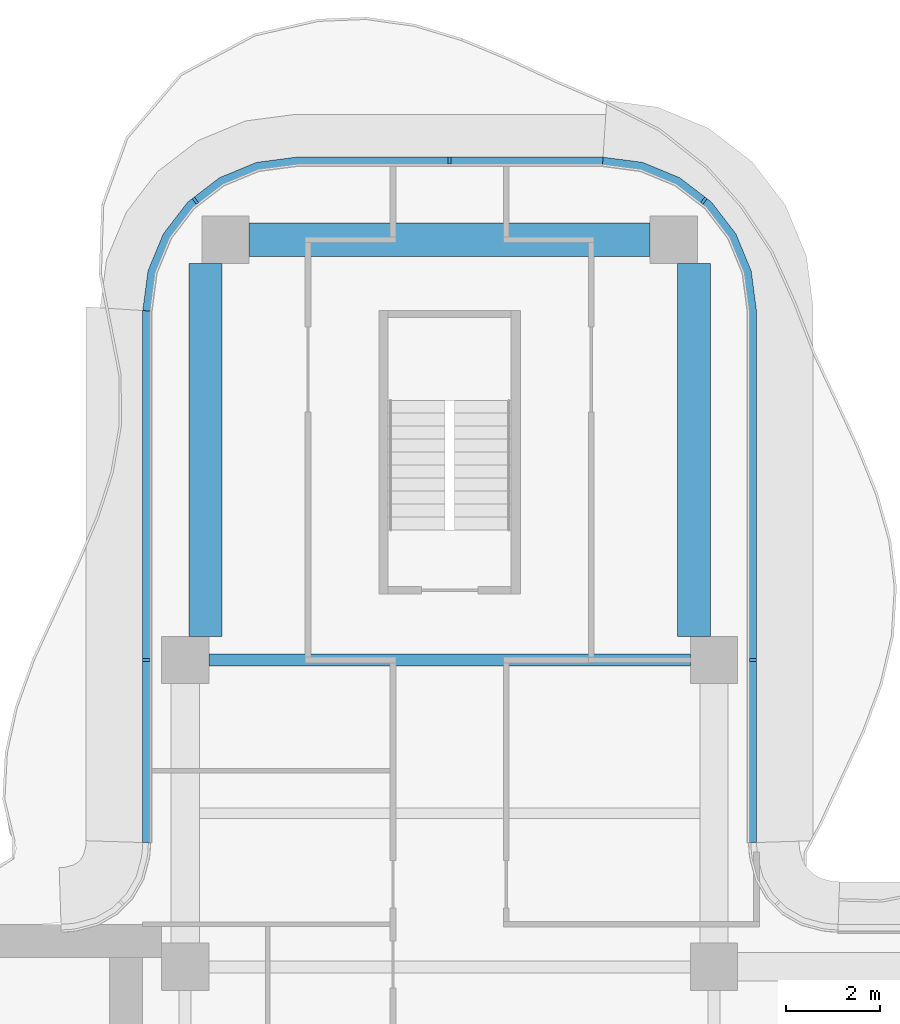
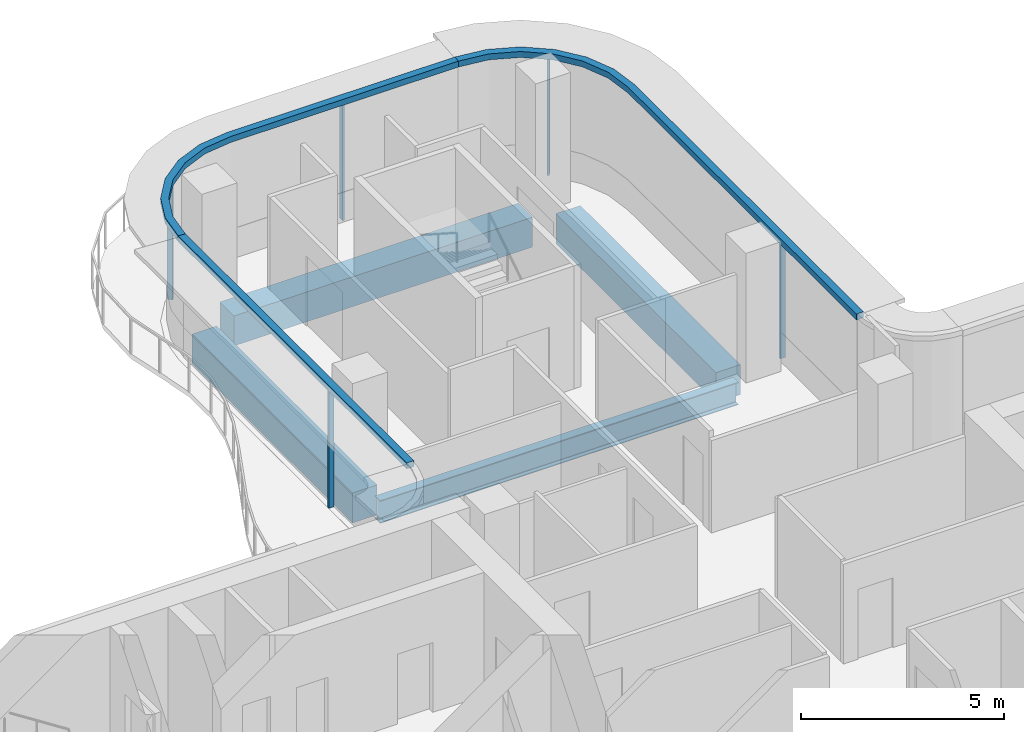
# One storey, part 7 of 16: 8 members, 4 beams, 3 elements without a shape of their own.
"""IFC4 building model written with IfcOpenShell, lengths in metres."""

from ifc_helpers import new_model, si_unit, direction, frame, origin, origin_2d, place, context, subcontext, project, spatial, polyline, rectangle, i_section, outline, extrude, source, transform, mapped, material, layer, layer_set, material_profile, profile_set, type_object, element, aggregate, save


model = new_model("IFC4")

# Units and contexts
model_context = context("Model", 3, precision=1e-05, world=origin(), true_north=direction((0.0, 1.0)))
body_context = subcontext(model_context, "Body", "Model", "MODEL_VIEW")
ifc_project = project(units=[si_unit("LENGTHUNIT", "METRE"), si_unit("AREAUNIT", "SQUARE_METRE"), si_unit("VOLUMEUNIT", "CUBIC_METRE"), si_unit("PLANEANGLEUNIT", "RADIAN"), si_unit("MASSUNIT", "GRAM", prefix="KILO")], contexts=[model_context])

# Site, building, storey
site_placement = place(None, origin())
site = spatial("IfcSite", under=ifc_project, at=site_placement, CompositionType="ELEMENT")
building_placement = place(site_placement, origin())
building = spatial("IfcBuilding", under=site, at=building_placement, Name="Trellis Farm Tower", CompositionType="ELEMENT")
storey_placement = place(building_placement, frame((0.0, 0.0, 291.10009765625)))
storey = spatial("IfcBuildingStorey", under=building, at=storey_placement, Name="L65", CompositionType="ELEMENT", Elevation=291.10009765625)

# Beams
ifc_material_1 = material(Name="Steel S355", Category="steel")
ifc_material_profile_1 = material_profile(ifc_material_1, i_section(OverallWidth=0.253662109375, OverallDepth=0.68359375, WebThickness=0.012451171875, FlangeThickness=0.021728515625, FilletRadius=0.01513671875, at=origin_2d()), Name="UB 686x254x140")
ifc_profile_set_1 = profile_set([ifc_material_profile_1], Name="Steel S355")
beam_type_1 = type_object("IfcBeamType", Name="UB 686x254x140", PredefinedType="BEAM", material=ifc_profile_set_1)
shared_shape_1 = source(origin(), body_context, "Body", "SweptSolid", [
    extrude(i_section(OverallWidth=0.253662109375, OverallDepth=0.68359375, WebThickness=0.012451171875, FlangeThickness=0.021728515625, FilletRadius=0.01513671875, at=origin_2d()), origin(), (0.0, 0.0, 1.0), 10.2001953125),
])
beam_1_placement = place(storey_placement, frame((-5.10009765625, 12.10009765625, -0.541748046875), z_axis=(1.0, 0.0, 0.0), x_axis=(0.0, 1.0, 0.0)))
element("IfcBeam", 1, at=beam_1_placement, inside=storey, type_object=beam_type_1, Name="Girder", PredefinedType="BEAM", context=body_context, shape_type="MappedRepresentation", body=[
    mapped(shared_shape_1, transform((0.0, 0.0, 0.0))),
])
ifc_material_2 = material(Name="Concrete C60/75", Category="concrete")
ifc_material_profile_2 = material_profile(ifc_material_2, rectangle(XDim=0.699951171875, YDim=0.89990234375, at=origin_2d()), Name="RC spandrel beam 700x900 C60/75")
ifc_profile_set_2 = profile_set([ifc_material_profile_2], Name="Concrete C60/75")
beam_type_2 = type_object("IfcBeamType", Name="RC spandrel beam 700x900 C60/75", PredefinedType="SPANDREL", material=ifc_profile_set_2)
shared_shape_2 = source(origin(), body_context, "Body", "SweptSolid", [
    extrude(rectangle(XDim=0.699951171875, YDim=0.89990234375, at=origin_2d()), origin(), (0.0, 0.0, 1.0), 8.5),
])
beam_2_placement = place(storey_placement, frame((-4.25, 21.0, -0.650146484375), z_axis=(1.0, 0.0, 0.0), x_axis=(0.0, 1.0, 0.0)))
element("IfcBeam", 2, at=beam_2_placement, inside=storey, type_object=beam_type_2, Name="Girder", PredefinedType="SPANDREL", context=body_context, shape_type="MappedRepresentation", body=[
    mapped(shared_shape_2, transform((0.0, 0.0, 0.0))),
])
shared_shape_3 = source(origin(), body_context, "Body", "SweptSolid", [
    extrude(rectangle(XDim=0.699951171875, YDim=0.89990234375, at=origin_2d()), origin(), (0.0, 0.0, 1.0), 7.89990234375),
])
for number, where, z_axis, x_axis, name in (
    (3, (-5.175048828125, 12.60009765625, -0.650146484375), (0.0, 1.0, 0.0), (-1.0, 0.0, 0.0), "Girder"),
    (4, (5.175048828125, 12.60009765625, -0.650146484375), (0.0, 1.0, 0.0), (-1.0, 0.0, 0.0), "Girder"),
):
    element("IfcBeam", number, at=place(storey_placement, frame(where, z_axis=z_axis, x_axis=x_axis)), inside=storey, type_object=beam_type_2, Name=name, PredefinedType="SPANDREL", context=body_context, shape_type="MappedRepresentation", body=[
        mapped(shared_shape_3, transform((0.0, 0.0, 0.0))),
    ])

# Curtain wall, members
ifc_material_3 = material(Name="Aluminium and glass curtain wall", Category="aluminium")
ifc_layer_1 = layer(ifc_material_3, 0.18994140625)
ifc_layer_set_1 = layer_set([ifc_layer_1], Name="RIBBON CURTAIN WALL CW1")
curtain_wall_type = type_object("IfcCurtainWallType", Name="RIBBON CURTAIN WALL CW1", PredefinedType="NOTDEFINED", material=ifc_layer_set_1)
placement_1 = place(storey_placement, origin())
curtain_wall_1 = element("IfcCurtainWall", 5, at=placement_1, inside=storey, type_object=curtain_wall_type, Name="CW1 009", PredefinedType="NOTDEFINED")
ifc_material_4 = material(Name="Aluminium extrusion 6063-T6", Category="aluminium")
ifc_material_profile_3 = material_profile(ifc_material_4, rectangle(XDim=0.06005859375, YDim=0.14990234375, at=origin_2d()), Name="MULLION 60x150")
ifc_profile_set_3 = profile_set([ifc_material_profile_3], Name="Aluminium extrusion 6063-T6")
member_type_1 = type_object("IfcMemberType", Name="CW1 MULLION 60x150", PredefinedType="MULLION", material=ifc_profile_set_3)
shared_shape_4 = source(origin(), body_context, "Body", "SweptSolid", [
    extrude(rectangle(XDim=0.06005859375, YDim=0.14990234375, at=origin_2d()), origin(), (0.0, 0.0, 1.0), 3.52001953125),
])
member_1_placement = place(storey_placement, frame((6.425048828125, 12.10009765625, 0.0), z_axis=(0.0, 0.0, 1.0), x_axis=(0.0, 1.0, 0.0)))
member_1 = element("IfcMember", 6, at=member_1_placement, type_object=member_type_1, Name="MU1 009-01", PredefinedType="MULLION", context=body_context, shape_type="MappedRepresentation", body=[
    mapped(shared_shape_4, transform((0.0, 0.0, 0.0))),
])
member_2_placement = place(storey_placement, frame((5.385498046875, 21.828369140625, 0.0), z_axis=(0.0, 0.0, 1.0), x_axis=(-0.793353340291, 0.608761429009, 0.0)))
member_2 = element("IfcMember", 7, at=member_2_placement, type_object=member_type_1, Name="MU1 009-02", PredefinedType="MULLION", context=body_context, shape_type="MappedRepresentation", body=[
    mapped(shared_shape_4, transform((0.0, 0.0, 0.0))),
])

curtain_wall_2 = element("IfcCurtainWall", 8, at=placement_1, inside=storey, type_object=curtain_wall_type, Name="CW1 010", PredefinedType="NOTDEFINED")
member_3_placement = place(storey_placement, frame((0.0, 22.675048828125, 0.0), z_axis=(0.0, 0.0, 1.0), x_axis=(-1.0, 0.0, 0.0)))
member_3 = element("IfcMember", 9, at=member_3_placement, type_object=member_type_1, Name="MU1 010-01", PredefinedType="MULLION", context=body_context, shape_type="MappedRepresentation", body=[
    mapped(shared_shape_4, transform((0.0, 0.0, 0.0))),
])
member_4_placement = place(storey_placement, frame((-5.385498046875, 21.828369140625, 0.0), z_axis=(0.0, 0.0, 1.0), x_axis=(-0.793353340291, -0.608761429009, 0.0)))
member_4 = element("IfcMember", 10, at=member_4_placement, type_object=member_type_1, Name="MU1 010-02", PredefinedType="MULLION", context=body_context, shape_type="MappedRepresentation", body=[
    mapped(shared_shape_4, transform((0.0, 0.0, 0.0))),
])

# Curtain wall, member
curtain_wall_3 = element("IfcCurtainWall", 11, at=placement_1, inside=storey, type_object=curtain_wall_type, Name="CW1 011", PredefinedType="NOTDEFINED")
member_5_placement = place(storey_placement, frame((-6.425048828125, 12.10009765625, 0.0), z_axis=(0.0, 0.0, 1.0), x_axis=(0.0, -1.0, 0.0)))
member_5 = element("IfcMember", 12, at=member_5_placement, type_object=member_type_1, Name="MU1 011-01", PredefinedType="MULLION", context=body_context, shape_type="MappedRepresentation", body=[
    mapped(shared_shape_4, transform((0.0, 0.0, 0.0))),
])

# Member
ifc_layer_2 = layer(ifc_material_4, 0.199951171875)
ifc_layer_set_2 = layer_set([ifc_layer_2], Name="Aluminium extrusion 6063-T6")
member_type_2 = type_object("IfcMemberType", Name="CW1 TRANSOM 200x180", PredefinedType="USERDEFINED", material=ifc_layer_set_2)
shared_shape_5 = source(origin(), body_context, "Body", "SweptSolid", [
    extrude(outline(polyline([(6.5, 8.2314453125), (6.5, 19.5), (6.38916015625, 20.341064453125), (6.064697265625, 21.125), (5.548095703125, 21.798095703125), (4.875, 22.314697265625), (4.091064453125, 22.63916015625), (3.25, 22.75), (3.23681640625, 22.550048828125), (4.0390625, 22.4443359375), (4.774169921875, 22.139892578125), (5.405517578125, 21.655517578125), (5.889892578125, 21.024169921875), (6.1943359375, 20.2890625), (6.300048828125, 19.48681640625), (6.300048828125, 8.224853515625), (6.5, 8.2314453125)])), origin(), (0.0, 0.0, 1.0), 0.179931640625),
])
placement_2 = place(storey_placement, frame((0.0, 0.0, 3.52001953125)))
member_6 = element("IfcMember", 13, at=placement_2, type_object=member_type_2, Name="TR1 009", ObjectType="TRANSOM", PredefinedType="USERDEFINED", context=body_context, shape_type="MappedRepresentation", body=[
    mapped(shared_shape_5, transform((0.0, 0.0, 0.0))),
])

aggregate(curtain_wall_1, [member_1, member_2, member_6])

shared_shape_6 = source(origin(), body_context, "Body", "SweptSolid", [
    extrude(outline(polyline([(3.25, 22.75), (-3.25, 22.75), (-4.091064453125, 22.63916015625), (-4.875, 22.314697265625), (-5.548095703125, 21.798095703125), (-6.064697265625, 21.125), (-6.38916015625, 20.341064453125), (-6.5, 19.5), (-6.300048828125, 19.48681640625), (-6.1943359375, 20.2890625), (-5.889892578125, 21.024169921875), (-5.405517578125, 21.655517578125), (-4.774169921875, 22.139892578125), (-4.0390625, 22.4443359375), (-3.23681640625, 22.550048828125), (3.23681640625, 22.550048828125), (3.25, 22.75)])), origin(), (0.0, 0.0, 1.0), 0.179931640625),
])
member_7 = element("IfcMember", 14, at=placement_2, type_object=member_type_2, Name="TR1 010", ObjectType="TRANSOM", PredefinedType="USERDEFINED", context=body_context, shape_type="MappedRepresentation", body=[
    mapped(shared_shape_6, transform((0.0, 0.0, 0.0))),
])

aggregate(curtain_wall_2, [member_3, member_4, member_7])

shared_shape_7 = source(origin(), body_context, "Body", "SweptSolid", [
    extrude(outline(polyline([(-6.5, 19.5), (-6.5, 8.2314453125), (-6.300048828125, 8.224853515625), (-6.300048828125, 19.48681640625), (-6.5, 19.5)])), origin(), (0.0, 0.0, 1.0), 0.179931640625),
])
member_8 = element("IfcMember", 15, at=placement_2, type_object=member_type_2, Name="TR1 011", ObjectType="TRANSOM", PredefinedType="USERDEFINED", context=body_context, shape_type="MappedRepresentation", body=[
    mapped(shared_shape_7, transform((0.0, 0.0, 0.0))),
])

aggregate(curtain_wall_3, [member_5, member_8])

save(model, "model.ifc")
